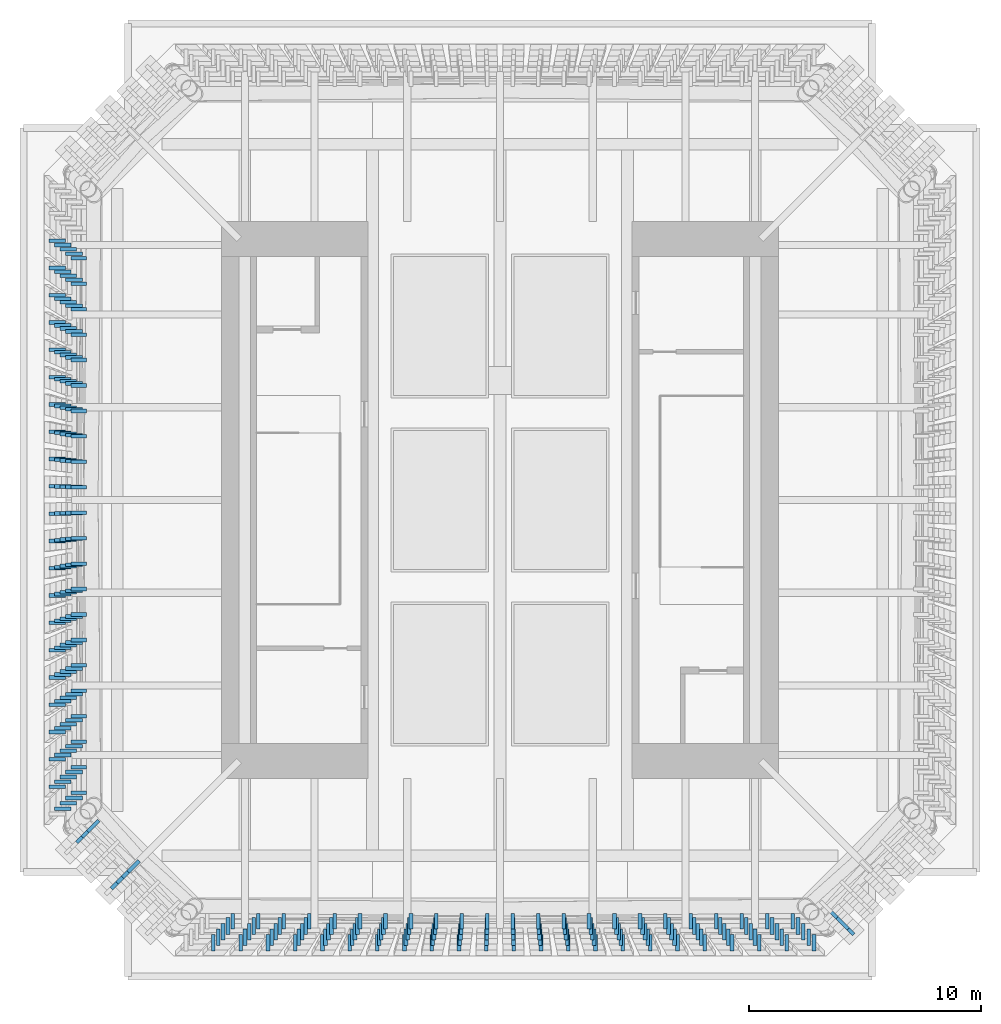
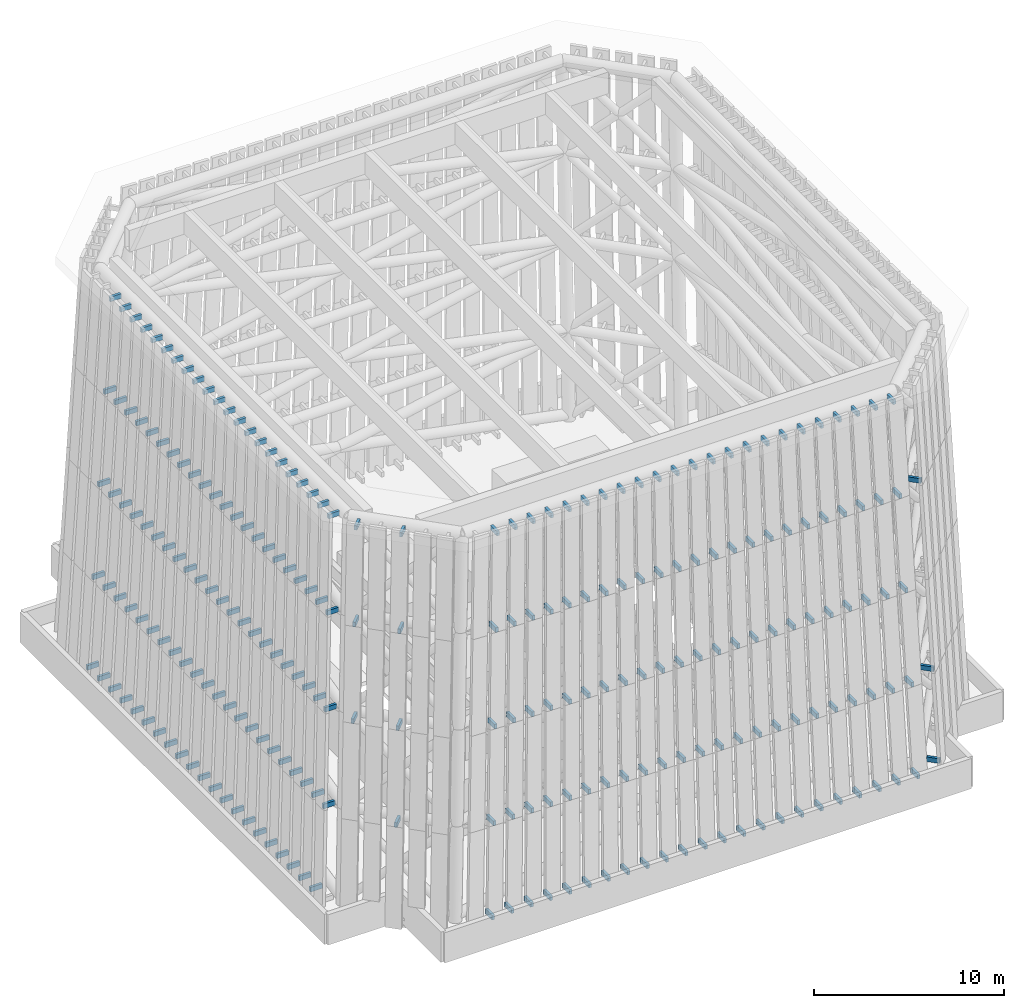
# One storey, part 4 of 13: 234 discrete accessories.
"""IFC4 building model written with IfcOpenShell, lengths in metres."""

from ifc_helpers import new_model, si_unit, direction, frame, origin, origin_2d, place, context, subcontext, project, spatial, rectangle, extrude, source, transform, mapped, material, type_object, element, save


model = new_model("IFC4")

# Units and contexts
model_context = context("Model", 3, precision=1e-05, world=origin(), true_north=direction((0.0, 1.0)))
body_context = subcontext(model_context, "Body", "Model", "MODEL_VIEW")
ifc_project = project(units=[si_unit("LENGTHUNIT", "METRE"), si_unit("AREAUNIT", "SQUARE_METRE"), si_unit("VOLUMEUNIT", "CUBIC_METRE"), si_unit("PLANEANGLEUNIT", "RADIAN"), si_unit("MASSUNIT", "GRAM", prefix="KILO")], contexts=[model_context])

# Site, building, storey
site_placement = place(None, origin())
site = spatial("IfcSite", under=ifc_project, at=site_placement, CompositionType="ELEMENT")
building_placement = place(site_placement, origin())
building = spatial("IfcBuilding", under=site, at=building_placement, Name="Peilmerk Tower", CompositionType="ELEMENT")
storey_placement = place(building_placement, frame((0.0, 0.0, 307.800048828125)))
storey = spatial("IfcBuildingStorey", under=building, at=storey_placement, Name="RF", CompositionType="ELEMENT", Elevation=307.800048828125)

# Discrete accessories
ifc_material = material(Name="Stainless steel 1.4401", Category="steel")
discrete_accessory_type = type_object("IfcDiscreteAccessoryType", Name="BR1 stainless steel fin bracket", PredefinedType="BRACKET", material=ifc_material)
shared_shape_1 = source(origin(), body_context, "Body", "SweptSolid", [
    extrude(rectangle(XDim=0.720458984375, YDim=0.159912109375, at=origin_2d()), origin(), (0.0, 0.0, 1.0), 0.300048828125),
])
for number, where, z_axis, x_axis, name in (
    (1, (14.99951171875, -18.4794921875, 0.0), (0.0, 0.0, 1.0), (0.707106781187, -0.707106781187, 0.0), "Crown fin bracket BR1 SE_E 5"),
    (2, (14.763671875, -18.24365234375, 5.85009765625), (0.0, 0.0, 1.0), (0.707106781187, -0.707106781187, 0.0), "Crown fin bracket BR1 SE_E 5"),
    (3, (14.27978515625, -17.759765625, 17.85009765625), (0.0, 0.0, 1.0), (0.707106781187, -0.707106781187, 0.0), "Crown fin bracket BR1 SE_E 5"),
    (4, (13.540771484375, -19.0947265625, 0.0), (0.0, 0.0, 1.0), (0.0, -1.0, 0.0), "Crown fin bracket BR1 SE_S 1"),
    (5, (13.314697265625, -18.85888671875, 5.85009765625), (0.0, 0.0, 1.0), (0.0, -1.0, 0.0), "Crown fin bracket BR1 SE_S 1"),
    (6, (13.082763671875, -18.616943359375, 11.85009765625), (0.0, 0.0, 1.0), (0.0, -1.0, 0.0), "Crown fin bracket BR1 SE_S 1"),
    (7, (12.850830078125, -18.375, 17.85009765625), (0.0, 0.0, 1.0), (0.0, -1.0, 0.0), "Crown fin bracket BR1 SE_S 1"),
    (8, (12.36328125, -19.0947265625, 0.0), (0.0, 0.0, 1.0), (0.0, -1.0, 0.0), "Crown fin bracket BR1 SE_S 2"),
    (9, (12.15673828125, -18.85888671875, 5.85009765625), (0.0, 0.0, 1.0), (0.0, -1.0, 0.0), "Crown fin bracket BR1 SE_S 2"),
    (10, (11.945068359375, -18.616943359375, 11.85009765625), (0.0, 0.0, 1.0), (0.0, -1.0, 0.0), "Crown fin bracket BR1 SE_S 2"),
    (11, (11.7333984375, -18.375, 17.85009765625), (0.0, 0.0, 1.0), (0.0, -1.0, 0.0), "Crown fin bracket BR1 SE_S 2"),
    (12, (11.185791015625, -19.0947265625, 0.0), (0.0, 0.0, 1.0), (0.0, -1.0, 0.0), "Crown fin bracket BR1 SE_S 3"),
    (13, (10.9990234375, -18.85888671875, 5.85009765625), (0.0, 0.0, 1.0), (0.0, -1.0, 0.0), "Crown fin bracket BR1 SE_S 3"),
    (14, (10.8076171875, -18.616943359375, 11.85009765625), (0.0, 0.0, 1.0), (0.0, -1.0, 0.0), "Crown fin bracket BR1 SE_S 3"),
    (15, (10.615966796875, -18.375, 17.85009765625), (0.0, 0.0, 1.0), (0.0, -1.0, 0.0), "Crown fin bracket BR1 SE_S 3"),
    (16, (10.00830078125, -19.0947265625, 0.0), (0.0, 0.0, 1.0), (0.0, -1.0, 0.0), "Crown fin bracket BR1 SE_S 4"),
    (17, (9.84130859375, -18.85888671875, 5.85009765625), (0.0, 0.0, 1.0), (0.0, -1.0, 0.0), "Crown fin bracket BR1 SE_S 4"),
    (18, (9.669921875, -18.616943359375, 11.85009765625), (0.0, 0.0, 1.0), (0.0, -1.0, 0.0), "Crown fin bracket BR1 SE_S 4"),
    (19, (9.49853515625, -18.375, 17.85009765625), (0.0, 0.0, 1.0), (0.0, -1.0, 0.0), "Crown fin bracket BR1 SE_S 4"),
    (20, (8.830810546875, -19.0947265625, 0.0), (0.0, 0.0, 1.0), (0.0, -1.0, 0.0), "Crown fin bracket BR1 SE_S 5"),
    (21, (8.683349609375, -18.85888671875, 5.85009765625), (0.0, 0.0, 1.0), (0.0, -1.0, 0.0), "Crown fin bracket BR1 SE_S 5"),
    (22, (8.5322265625, -18.616943359375, 11.85009765625), (0.0, 0.0, 1.0), (0.0, -1.0, 0.0), "Crown fin bracket BR1 SE_S 5"),
    (23, (8.381103515625, -18.375, 17.85009765625), (0.0, 0.0, 1.0), (0.0, -1.0, 0.0), "Crown fin bracket BR1 SE_S 5"),
    (24, (7.653564453125, -19.0947265625, 0.0), (0.0, 0.0, 1.0), (0.0, -1.0, 0.0), "Crown fin bracket BR1 SE_S 6"),
    (25, (7.525634765625, -18.85888671875, 5.85009765625), (0.0, 0.0, 1.0), (0.0, -1.0, 0.0), "Crown fin bracket BR1 SE_S 6"),
    (26, (7.39453125, -18.616943359375, 11.85009765625), (0.0, 0.0, 1.0), (0.0, -1.0, 0.0), "Crown fin bracket BR1 SE_S 6"),
    (27, (7.263671875, -18.375, 17.85009765625), (0.0, 0.0, 1.0), (0.0, -1.0, 0.0), "Crown fin bracket BR1 SE_S 6"),
    (28, (6.47607421875, -19.0947265625, 0.0), (0.0, 0.0, 1.0), (0.0, -1.0, 0.0), "Crown fin bracket BR1 SE_S 7"),
    (29, (6.367919921875, -18.85888671875, 5.85009765625), (0.0, 0.0, 1.0), (0.0, -1.0, 0.0), "Crown fin bracket BR1 SE_S 7"),
    (30, (6.257080078125, -18.616943359375, 11.85009765625), (0.0, 0.0, 1.0), (0.0, -1.0, 0.0), "Crown fin bracket BR1 SE_S 7"),
    (31, (6.14599609375, -18.375, 17.85009765625), (0.0, 0.0, 1.0), (0.0, -1.0, 0.0), "Crown fin bracket BR1 SE_S 7"),
    (32, (5.298583984375, -19.0947265625, 0.0), (0.0, 0.0, 1.0), (0.0, -1.0, 0.0), "Crown fin bracket BR1 SE_S 8"),
    (33, (5.2099609375, -18.85888671875, 5.85009765625), (0.0, 0.0, 1.0), (0.0, -1.0, 0.0), "Crown fin bracket BR1 SE_S 8"),
    (34, (5.119384765625, -18.616943359375, 11.85009765625), (0.0, 0.0, 1.0), (0.0, -1.0, 0.0), "Crown fin bracket BR1 SE_S 8"),
    (35, (5.028564453125, -18.375, 17.85009765625), (0.0, 0.0, 1.0), (0.0, -1.0, 0.0), "Crown fin bracket BR1 SE_S 8"),
    (36, (4.12109375, -19.0947265625, 0.0), (0.0, 0.0, 1.0), (0.0, -1.0, 0.0), "Crown fin bracket BR1 SE_S 9"),
    (37, (4.05224609375, -18.85888671875, 5.85009765625), (0.0, 0.0, 1.0), (0.0, -1.0, 0.0), "Crown fin bracket BR1 SE_S 9"),
    (38, (3.981689453125, -18.616943359375, 11.85009765625), (0.0, 0.0, 1.0), (0.0, -1.0, 0.0), "Crown fin bracket BR1 SE_S 9"),
    (39, (3.9111328125, -18.375, 17.85009765625), (0.0, 0.0, 1.0), (0.0, -1.0, 0.0), "Crown fin bracket BR1 SE_S 9"),
    (40, (2.943603515625, -19.0947265625, 0.0), (0.0, 0.0, 1.0), (0.0, -1.0, 0.0), "Crown fin bracket BR1 SE_S 10"),
    (41, (2.89453125, -18.85888671875, 5.85009765625), (0.0, 0.0, 1.0), (0.0, -1.0, 0.0), "Crown fin bracket BR1 SE_S 10"),
    (42, (2.843994140625, -18.616943359375, 11.85009765625), (0.0, 0.0, 1.0), (0.0, -1.0, 0.0), "Crown fin bracket BR1 SE_S 10"),
    (43, (2.793701171875, -18.375, 17.85009765625), (0.0, 0.0, 1.0), (0.0, -1.0, 0.0), "Crown fin bracket BR1 SE_S 10"),
    (44, (1.76611328125, -19.0947265625, 0.0), (0.0, 0.0, 1.0), (0.0, -1.0, 0.0), "Crown fin bracket BR1 SE_S 11"),
    (45, (1.736572265625, -18.85888671875, 5.85009765625), (0.0, 0.0, 1.0), (0.0, -1.0, 0.0), "Crown fin bracket BR1 SE_S 11"),
    (46, (1.70654296875, -18.616943359375, 11.85009765625), (0.0, 0.0, 1.0), (0.0, -1.0, 0.0), "Crown fin bracket BR1 SE_S 11"),
    (47, (1.67626953125, -18.375, 17.85009765625), (0.0, 0.0, 1.0), (0.0, -1.0, 0.0), "Crown fin bracket BR1 SE_S 11"),
    (48, (0.588623046875, -19.0947265625, 0.0), (0.0, 0.0, 1.0), (0.0, -1.0, 0.0), "Crown fin bracket BR1 SE_S 12"),
    (49, (0.578857421875, -18.85888671875, 5.85009765625), (0.0, 0.0, 1.0), (0.0, -1.0, 0.0), "Crown fin bracket BR1 SE_S 12"),
    (50, (0.56884765625, -18.616943359375, 11.85009765625), (0.0, 0.0, 1.0), (0.0, -1.0, 0.0), "Crown fin bracket BR1 SE_S 12"),
    (51, (0.558837890625, -18.375, 17.85009765625), (0.0, 0.0, 1.0), (0.0, -1.0, 0.0), "Crown fin bracket BR1 SE_S 12"),
    (52, (-0.588623046875, -19.0947265625, 0.0), (0.0, 0.0, 1.0), (0.0, -1.0, 0.0), "Crown fin bracket BR1 SE_S 13"),
    (53, (-0.578857421875, -18.85888671875, 5.85009765625), (0.0, 0.0, 1.0), (0.0, -1.0, 0.0), "Crown fin bracket BR1 SE_S 13"),
    (54, (-0.56884765625, -18.616943359375, 11.85009765625), (0.0, 0.0, 1.0), (0.0, -1.0, 0.0), "Crown fin bracket BR1 SE_S 13"),
    (55, (-0.558837890625, -18.375, 17.85009765625), (0.0, 0.0, 1.0), (0.0, -1.0, 0.0), "Crown fin bracket BR1 SE_S 13"),
    (56, (-1.76611328125, -19.0947265625, 0.0), (0.0, 0.0, 1.0), (0.0, -1.0, 0.0), "Crown fin bracket BR1 SE_S 14"),
    (57, (-1.736572265625, -18.85888671875, 5.85009765625), (0.0, 0.0, 1.0), (0.0, -1.0, 0.0), "Crown fin bracket BR1 SE_S 14"),
    (58, (-1.70654296875, -18.616943359375, 11.85009765625), (0.0, 0.0, 1.0), (0.0, -1.0, 0.0), "Crown fin bracket BR1 SE_S 14"),
    (59, (-1.67626953125, -18.375, 17.85009765625), (0.0, 0.0, 1.0), (0.0, -1.0, 0.0), "Crown fin bracket BR1 SE_S 14"),
    (60, (-2.943603515625, -19.0947265625, 0.0), (0.0, 0.0, 1.0), (0.0, -1.0, 0.0), "Crown fin bracket BR1 SE_S 15"),
    (61, (-2.89453125, -18.85888671875, 5.85009765625), (0.0, 0.0, 1.0), (0.0, -1.0, 0.0), "Crown fin bracket BR1 SE_S 15"),
    (62, (-2.843994140625, -18.616943359375, 11.85009765625), (0.0, 0.0, 1.0), (0.0, -1.0, 0.0), "Crown fin bracket BR1 SE_S 15"),
    (63, (-2.793701171875, -18.375, 17.85009765625), (0.0, 0.0, 1.0), (0.0, -1.0, 0.0), "Crown fin bracket BR1 SE_S 15"),
    (64, (-4.12109375, -19.0947265625, 0.0), (0.0, 0.0, 1.0), (0.0, -1.0, 0.0), "Crown fin bracket BR1 SE_S 16"),
    (65, (-4.05224609375, -18.85888671875, 5.85009765625), (0.0, 0.0, 1.0), (0.0, -1.0, 0.0), "Crown fin bracket BR1 SE_S 16"),
    (66, (-3.981689453125, -18.616943359375, 11.85009765625), (0.0, 0.0, 1.0), (0.0, -1.0, 0.0), "Crown fin bracket BR1 SE_S 16"),
    (67, (-3.9111328125, -18.375, 17.85009765625), (0.0, 0.0, 1.0), (0.0, -1.0, 0.0), "Crown fin bracket BR1 SE_S 16"),
    (68, (-5.298583984375, -19.0947265625, 0.0), (0.0, 0.0, 1.0), (0.0, -1.0, 0.0), "Crown fin bracket BR1 SE_S 17"),
    (69, (-5.2099609375, -18.85888671875, 5.85009765625), (0.0, 0.0, 1.0), (0.0, -1.0, 0.0), "Crown fin bracket BR1 SE_S 17"),
    (70, (-5.119384765625, -18.616943359375, 11.85009765625), (0.0, 0.0, 1.0), (0.0, -1.0, 0.0), "Crown fin bracket BR1 SE_S 17"),
    (71, (-5.028564453125, -18.375, 17.85009765625), (0.0, 0.0, 1.0), (0.0, -1.0, 0.0), "Crown fin bracket BR1 SE_S 17"),
    (72, (-6.47607421875, -19.0947265625, 0.0), (0.0, 0.0, 1.0), (0.0, -1.0, 0.0), "Crown fin bracket BR1 SE_S 18"),
    (73, (-6.367919921875, -18.85888671875, 5.85009765625), (0.0, 0.0, 1.0), (0.0, -1.0, 0.0), "Crown fin bracket BR1 SE_S 18"),
    (74, (-6.257080078125, -18.616943359375, 11.85009765625), (0.0, 0.0, 1.0), (0.0, -1.0, 0.0), "Crown fin bracket BR1 SE_S 18"),
    (75, (-6.14599609375, -18.375, 17.85009765625), (0.0, 0.0, 1.0), (0.0, -1.0, 0.0), "Crown fin bracket BR1 SE_S 18"),
    (76, (-7.653564453125, -19.0947265625, 0.0), (0.0, 0.0, 1.0), (0.0, -1.0, 0.0), "Crown fin bracket BR1 SE_S 19"),
    (77, (-7.525634765625, -18.85888671875, 5.85009765625), (0.0, 0.0, 1.0), (0.0, -1.0, 0.0), "Crown fin bracket BR1 SE_S 19"),
    (78, (-7.39453125, -18.616943359375, 11.85009765625), (0.0, 0.0, 1.0), (0.0, -1.0, 0.0), "Crown fin bracket BR1 SE_S 19"),
    (79, (-7.263671875, -18.375, 17.85009765625), (0.0, 0.0, 1.0), (0.0, -1.0, 0.0), "Crown fin bracket BR1 SE_S 19"),
    (80, (-8.830810546875, -19.0947265625, 0.0), (0.0, 0.0, 1.0), (0.0, -1.0, 0.0), "Crown fin bracket BR1 SE_S 20"),
    (81, (-8.683349609375, -18.85888671875, 5.85009765625), (0.0, 0.0, 1.0), (0.0, -1.0, 0.0), "Crown fin bracket BR1 SE_S 20"),
    (82, (-8.5322265625, -18.616943359375, 11.85009765625), (0.0, 0.0, 1.0), (0.0, -1.0, 0.0), "Crown fin bracket BR1 SE_S 20"),
    (83, (-8.381103515625, -18.375, 17.85009765625), (0.0, 0.0, 1.0), (0.0, -1.0, 0.0), "Crown fin bracket BR1 SE_S 20"),
    (84, (-10.00830078125, -19.0947265625, 0.0), (0.0, 0.0, 1.0), (0.0, -1.0, 0.0), "Crown fin bracket BR1 SE_S 21"),
    (85, (-9.84130859375, -18.85888671875, 5.85009765625), (0.0, 0.0, 1.0), (0.0, -1.0, 0.0), "Crown fin bracket BR1 SE_S 21"),
    (86, (-9.669921875, -18.616943359375, 11.85009765625), (0.0, 0.0, 1.0), (0.0, -1.0, 0.0), "Crown fin bracket BR1 SE_S 21"),
    (87, (-9.49853515625, -18.375, 17.85009765625), (0.0, 0.0, 1.0), (0.0, -1.0, 0.0), "Crown fin bracket BR1 SE_S 21"),
    (88, (-11.185791015625, -19.0947265625, 0.0), (0.0, 0.0, 1.0), (0.0, -1.0, 0.0), "Crown fin bracket BR1 SE_S 22"),
    (89, (-10.9990234375, -18.85888671875, 5.85009765625), (0.0, 0.0, 1.0), (0.0, -1.0, 0.0), "Crown fin bracket BR1 SE_S 22"),
    (90, (-10.8076171875, -18.616943359375, 11.85009765625), (0.0, 0.0, 1.0), (0.0, -1.0, 0.0), "Crown fin bracket BR1 SE_S 22"),
    (91, (-10.615966796875, -18.375, 17.85009765625), (0.0, 0.0, 1.0), (0.0, -1.0, 0.0), "Crown fin bracket BR1 SE_S 22"),
    (92, (-12.36328125, -19.0947265625, 0.0), (0.0, 0.0, 1.0), (0.0, -1.0, 0.0), "Crown fin bracket BR1 SE_S 23"),
    (93, (-12.15673828125, -18.85888671875, 5.85009765625), (0.0, 0.0, 1.0), (0.0, -1.0, 0.0), "Crown fin bracket BR1 SE_S 23"),
    (94, (-11.945068359375, -18.616943359375, 11.85009765625), (0.0, 0.0, 1.0), (0.0, -1.0, 0.0), "Crown fin bracket BR1 SE_S 23"),
    (95, (-11.7333984375, -18.375, 17.85009765625), (0.0, 0.0, 1.0), (0.0, -1.0, 0.0), "Crown fin bracket BR1 SE_S 23"),
    (96, (-16.503662109375, -16.503662109375, 5.85009765625), (0.0, 0.0, 1.0), (-0.707106781187, -0.707106781187, 0.0), "Crown fin bracket BR1 SW_S 3"),
    (97, (-16.26171875, -16.26171875, 11.85009765625), (0.0, 0.0, 1.0), (-0.707106781187, -0.707106781187, 0.0), "Crown fin bracket BR1 SW_S 3"),
    (98, (-16.019775390625, -16.019775390625, 17.85009765625), (0.0, 0.0, 1.0), (-0.707106781187, -0.707106781187, 0.0), "Crown fin bracket BR1 SW_S 3"),
    (99, (-18.001708984375, -14.521728515625, 11.85009765625), (0.0, 0.0, 1.0), (-0.707106781187, -0.707106781187, 0.0), "Crown fin bracket BR1 SW_S 5"),
    (100, (-17.759765625, -14.27978515625, 17.85009765625), (0.0, 0.0, 1.0), (-0.707106781187, -0.707106781187, 0.0), "Crown fin bracket BR1 SW_S 5"),
    (101, (-18.85888671875, -13.314697265625, 5.85009765625), (0.0, 0.0, 1.0), (-1.0, 0.0, 0.0), "Crown fin bracket BR1 SW_W 1"),
    (102, (-18.616943359375, -13.082763671875, 11.85009765625), (0.0, 0.0, 1.0), (-1.0, 0.0, 0.0), "Crown fin bracket BR1 SW_W 1"),
    (103, (-18.375, -12.850830078125, 17.85009765625), (0.0, 0.0, 1.0), (-1.0, 0.0, 0.0), "Crown fin bracket BR1 SW_W 1"),
    (104, (-19.0947265625, -12.36328125, 0.0), (0.0, 0.0, 1.0), (-1.0, 0.0, 0.0), "Crown fin bracket BR1 SW_W 2"),
    (105, (-18.85888671875, -12.15673828125, 5.85009765625), (0.0, 0.0, 1.0), (-1.0, 0.0, 0.0), "Crown fin bracket BR1 SW_W 2"),
    (106, (-18.616943359375, -11.945068359375, 11.85009765625), (0.0, 0.0, 1.0), (-1.0, 0.0, 0.0), "Crown fin bracket BR1 SW_W 2"),
    (107, (-18.375, -11.7333984375, 17.85009765625), (0.0, 0.0, 1.0), (-1.0, 0.0, 0.0), "Crown fin bracket BR1 SW_W 2"),
    (108, (-19.0947265625, -11.185791015625, 0.0), (0.0, 0.0, 1.0), (-1.0, 0.0, 0.0), "Crown fin bracket BR1 SW_W 3"),
    (109, (-18.85888671875, -10.9990234375, 5.85009765625), (0.0, 0.0, 1.0), (-1.0, 0.0, 0.0), "Crown fin bracket BR1 SW_W 3"),
    (110, (-18.616943359375, -10.8076171875, 11.85009765625), (0.0, 0.0, 1.0), (-1.0, 0.0, 0.0), "Crown fin bracket BR1 SW_W 3"),
    (111, (-18.375, -10.615966796875, 17.85009765625), (0.0, 0.0, 1.0), (-1.0, 0.0, 0.0), "Crown fin bracket BR1 SW_W 3"),
    (112, (-19.0947265625, -10.00830078125, 0.0), (0.0, 0.0, 1.0), (-1.0, 0.0, 0.0), "Crown fin bracket BR1 SW_W 4"),
    (113, (-18.85888671875, -9.84130859375, 5.85009765625), (0.0, 0.0, 1.0), (-1.0, 0.0, 0.0), "Crown fin bracket BR1 SW_W 4"),
    (114, (-18.616943359375, -9.669921875, 11.85009765625), (0.0, 0.0, 1.0), (-1.0, 0.0, 0.0), "Crown fin bracket BR1 SW_W 4"),
    (115, (-18.375, -9.49853515625, 17.85009765625), (0.0, 0.0, 1.0), (-1.0, 0.0, 0.0), "Crown fin bracket BR1 SW_W 4"),
    (116, (-19.0947265625, -8.830810546875, 0.0), (0.0, 0.0, 1.0), (-1.0, 0.0, 0.0), "Crown fin bracket BR1 SW_W 5"),
    (117, (-18.85888671875, -8.683349609375, 5.85009765625), (0.0, 0.0, 1.0), (-1.0, 0.0, 0.0), "Crown fin bracket BR1 SW_W 5"),
    (118, (-18.616943359375, -8.5322265625, 11.85009765625), (0.0, 0.0, 1.0), (-1.0, 0.0, 0.0), "Crown fin bracket BR1 SW_W 5"),
    (119, (-18.375, -8.381103515625, 17.85009765625), (0.0, 0.0, 1.0), (-1.0, 0.0, 0.0), "Crown fin bracket BR1 SW_W 5"),
    (120, (-19.0947265625, -7.653564453125, 0.0), (0.0, 0.0, 1.0), (-1.0, 0.0, 0.0), "Crown fin bracket BR1 SW_W 6"),
    (121, (-18.85888671875, -7.525634765625, 5.85009765625), (0.0, 0.0, 1.0), (-1.0, 0.0, 0.0), "Crown fin bracket BR1 SW_W 6"),
    (122, (-18.616943359375, -7.39453125, 11.85009765625), (0.0, 0.0, 1.0), (-1.0, 0.0, 0.0), "Crown fin bracket BR1 SW_W 6"),
    (123, (-18.375, -7.263671875, 17.85009765625), (0.0, 0.0, 1.0), (-1.0, 0.0, 0.0), "Crown fin bracket BR1 SW_W 6"),
    (124, (-19.0947265625, -6.47607421875, 0.0), (0.0, 0.0, 1.0), (-1.0, 0.0, 0.0), "Crown fin bracket BR1 SW_W 7"),
    (125, (-18.85888671875, -6.367919921875, 5.85009765625), (0.0, 0.0, 1.0), (-1.0, 0.0, 0.0), "Crown fin bracket BR1 SW_W 7"),
    (126, (-18.616943359375, -6.257080078125, 11.85009765625), (0.0, 0.0, 1.0), (-1.0, 0.0, 0.0), "Crown fin bracket BR1 SW_W 7"),
    (127, (-18.375, -6.14599609375, 17.85009765625), (0.0, 0.0, 1.0), (-1.0, 0.0, 0.0), "Crown fin bracket BR1 SW_W 7"),
    (128, (-19.0947265625, -5.298583984375, 0.0), (0.0, 0.0, 1.0), (-1.0, 0.0, 0.0), "Crown fin bracket BR1 SW_W 8"),
    (129, (-18.85888671875, -5.2099609375, 5.85009765625), (0.0, 0.0, 1.0), (-1.0, 0.0, 0.0), "Crown fin bracket BR1 SW_W 8"),
    (130, (-18.616943359375, -5.119384765625, 11.85009765625), (0.0, 0.0, 1.0), (-1.0, 0.0, 0.0), "Crown fin bracket BR1 SW_W 8"),
    (131, (-18.375, -5.028564453125, 17.85009765625), (0.0, 0.0, 1.0), (-1.0, 0.0, 0.0), "Crown fin bracket BR1 SW_W 8"),
    (132, (-19.0947265625, -4.12109375, 0.0), (0.0, 0.0, 1.0), (-1.0, 0.0, 0.0), "Crown fin bracket BR1 SW_W 9"),
    (133, (-18.85888671875, -4.05224609375, 5.85009765625), (0.0, 0.0, 1.0), (-1.0, 0.0, 0.0), "Crown fin bracket BR1 SW_W 9"),
    (134, (-18.616943359375, -3.981689453125, 11.85009765625), (0.0, 0.0, 1.0), (-1.0, 0.0, 0.0), "Crown fin bracket BR1 SW_W 9"),
    (135, (-18.375, -3.9111328125, 17.85009765625), (0.0, 0.0, 1.0), (-1.0, 0.0, 0.0), "Crown fin bracket BR1 SW_W 9"),
    (136, (-19.0947265625, -2.943603515625, 0.0), (0.0, 0.0, 1.0), (-1.0, 0.0, 0.0), "Crown fin bracket BR1 SW_W 10"),
    (137, (-18.85888671875, -2.89453125, 5.85009765625), (0.0, 0.0, 1.0), (-1.0, 0.0, 0.0), "Crown fin bracket BR1 SW_W 10"),
    (138, (-18.616943359375, -2.843994140625, 11.85009765625), (0.0, 0.0, 1.0), (-1.0, 0.0, 0.0), "Crown fin bracket BR1 SW_W 10"),
    (139, (-18.375, -2.793701171875, 17.85009765625), (0.0, 0.0, 1.0), (-1.0, 0.0, 0.0), "Crown fin bracket BR1 SW_W 10"),
    (140, (-19.0947265625, -1.76611328125, 0.0), (0.0, 0.0, 1.0), (-1.0, 0.0, 0.0), "Crown fin bracket BR1 SW_W 11"),
    (141, (-18.85888671875, -1.736572265625, 5.85009765625), (0.0, 0.0, 1.0), (-1.0, 0.0, 0.0), "Crown fin bracket BR1 SW_W 11"),
    (142, (-18.616943359375, -1.70654296875, 11.85009765625), (0.0, 0.0, 1.0), (-1.0, 0.0, 0.0), "Crown fin bracket BR1 SW_W 11"),
    (143, (-18.375, -1.67626953125, 17.85009765625), (0.0, 0.0, 1.0), (-1.0, 0.0, 0.0), "Crown fin bracket BR1 SW_W 11"),
    (144, (-19.0947265625, -0.588623046875, 0.0), (0.0, 0.0, 1.0), (-1.0, 0.0, 0.0), "Crown fin bracket BR1 SW_W 12"),
    (145, (-18.85888671875, -0.578857421875, 5.85009765625), (0.0, 0.0, 1.0), (-1.0, 0.0, 0.0), "Crown fin bracket BR1 SW_W 12"),
    (146, (-18.616943359375, -0.56884765625, 11.85009765625), (0.0, 0.0, 1.0), (-1.0, 0.0, 0.0), "Crown fin bracket BR1 SW_W 12"),
    (147, (-18.375, -0.558837890625, 17.85009765625), (0.0, 0.0, 1.0), (-1.0, 0.0, 0.0), "Crown fin bracket BR1 SW_W 12"),
    (148, (-19.0947265625, 0.588623046875, 0.0), (0.0, 0.0, 1.0), (-1.0, 0.0, 0.0), "Crown fin bracket BR1 SW_W 13"),
    (149, (-18.85888671875, 0.578857421875, 5.85009765625), (0.0, 0.0, 1.0), (-1.0, 0.0, 0.0), "Crown fin bracket BR1 SW_W 13"),
    (150, (-18.616943359375, 0.56884765625, 11.85009765625), (0.0, 0.0, 1.0), (-1.0, 0.0, 0.0), "Crown fin bracket BR1 SW_W 13"),
    (151, (-18.375, 0.558837890625, 17.85009765625), (0.0, 0.0, 1.0), (-1.0, 0.0, 0.0), "Crown fin bracket BR1 SW_W 13"),
    (152, (-19.0947265625, 1.76611328125, 0.0), (0.0, 0.0, 1.0), (-1.0, 0.0, 0.0), "Crown fin bracket BR1 SW_W 14"),
    (153, (-18.85888671875, 1.736572265625, 5.85009765625), (0.0, 0.0, 1.0), (-1.0, 0.0, 0.0), "Crown fin bracket BR1 SW_W 14"),
    (154, (-18.616943359375, 1.70654296875, 11.85009765625), (0.0, 0.0, 1.0), (-1.0, 0.0, 0.0), "Crown fin bracket BR1 SW_W 14"),
    (155, (-18.375, 1.67626953125, 17.85009765625), (0.0, 0.0, 1.0), (-1.0, 0.0, 0.0), "Crown fin bracket BR1 SW_W 14"),
    (156, (-19.0947265625, 2.943603515625, 0.0), (0.0, 0.0, 1.0), (-1.0, 0.0, 0.0), "Crown fin bracket BR1 SW_W 15"),
    (157, (-18.85888671875, 2.89453125, 5.85009765625), (0.0, 0.0, 1.0), (-1.0, 0.0, 0.0), "Crown fin bracket BR1 SW_W 15"),
    (158, (-18.616943359375, 2.843994140625, 11.85009765625), (0.0, 0.0, 1.0), (-1.0, 0.0, 0.0), "Crown fin bracket BR1 SW_W 15"),
    (159, (-18.375, 2.793701171875, 17.85009765625), (0.0, 0.0, 1.0), (-1.0, 0.0, 0.0), "Crown fin bracket BR1 SW_W 15"),
    (160, (-19.0947265625, 4.12109375, 0.0), (0.0, 0.0, 1.0), (-1.0, 0.0, 0.0), "Crown fin bracket BR1 SW_W 16"),
    (161, (-18.85888671875, 4.05224609375, 5.85009765625), (0.0, 0.0, 1.0), (-1.0, 0.0, 0.0), "Crown fin bracket BR1 SW_W 16"),
    (162, (-18.616943359375, 3.981689453125, 11.85009765625), (0.0, 0.0, 1.0), (-1.0, 0.0, 0.0), "Crown fin bracket BR1 SW_W 16"),
    (163, (-18.375, 3.9111328125, 17.85009765625), (0.0, 0.0, 1.0), (-1.0, 0.0, 0.0), "Crown fin bracket BR1 SW_W 16"),
    (164, (-19.0947265625, 5.298583984375, 0.0), (0.0, 0.0, 1.0), (-1.0, 0.0, 0.0), "Crown fin bracket BR1 SW_W 17"),
    (165, (-18.85888671875, 5.2099609375, 5.85009765625), (0.0, 0.0, 1.0), (-1.0, 0.0, 0.0), "Crown fin bracket BR1 SW_W 17"),
    (166, (-18.616943359375, 5.119384765625, 11.85009765625), (0.0, 0.0, 1.0), (-1.0, 0.0, 0.0), "Crown fin bracket BR1 SW_W 17"),
    (167, (-18.375, 5.028564453125, 17.85009765625), (0.0, 0.0, 1.0), (-1.0, 0.0, 0.0), "Crown fin bracket BR1 SW_W 17"),
    (168, (-19.0947265625, 6.47607421875, 0.0), (0.0, 0.0, 1.0), (-1.0, 0.0, 0.0), "Crown fin bracket BR1 SW_W 18"),
    (169, (-18.85888671875, 6.367919921875, 5.85009765625), (0.0, 0.0, 1.0), (-1.0, 0.0, 0.0), "Crown fin bracket BR1 SW_W 18"),
    (170, (-18.616943359375, 6.257080078125, 11.85009765625), (0.0, 0.0, 1.0), (-1.0, 0.0, 0.0), "Crown fin bracket BR1 SW_W 18"),
    (171, (-18.375, 6.14599609375, 17.85009765625), (0.0, 0.0, 1.0), (-1.0, 0.0, 0.0), "Crown fin bracket BR1 SW_W 18"),
    (172, (-19.0947265625, 7.653564453125, 0.0), (0.0, 0.0, 1.0), (-1.0, 0.0, 0.0), "Crown fin bracket BR1 SW_W 19"),
    (173, (-18.85888671875, 7.525634765625, 5.85009765625), (0.0, 0.0, 1.0), (-1.0, 0.0, 0.0), "Crown fin bracket BR1 SW_W 19"),
    (174, (-18.616943359375, 7.39453125, 11.85009765625), (0.0, 0.0, 1.0), (-1.0, 0.0, 0.0), "Crown fin bracket BR1 SW_W 19"),
    (175, (-18.375, 7.263671875, 17.85009765625), (0.0, 0.0, 1.0), (-1.0, 0.0, 0.0), "Crown fin bracket BR1 SW_W 19"),
    (176, (-19.0947265625, 8.830810546875, 0.0), (0.0, 0.0, 1.0), (-1.0, 0.0, 0.0), "Crown fin bracket BR1 SW_W 20"),
    (177, (-18.85888671875, 8.683349609375, 5.85009765625), (0.0, 0.0, 1.0), (-1.0, 0.0, 0.0), "Crown fin bracket BR1 SW_W 20"),
    (178, (-18.616943359375, 8.5322265625, 11.85009765625), (0.0, 0.0, 1.0), (-1.0, 0.0, 0.0), "Crown fin bracket BR1 SW_W 20"),
    (179, (-18.375, 8.381103515625, 17.85009765625), (0.0, 0.0, 1.0), (-1.0, 0.0, 0.0), "Crown fin bracket BR1 SW_W 20"),
    (180, (-19.0947265625, 10.00830078125, 0.0), (0.0, 0.0, 1.0), (-1.0, 0.0, 0.0), "Crown fin bracket BR1 SW_W 21"),
    (181, (-18.85888671875, 9.84130859375, 5.85009765625), (0.0, 0.0, 1.0), (-1.0, 0.0, 0.0), "Crown fin bracket BR1 SW_W 21"),
    (182, (-18.616943359375, 9.669921875, 11.85009765625), (0.0, 0.0, 1.0), (-1.0, 0.0, 0.0), "Crown fin bracket BR1 SW_W 21"),
    (183, (-18.375, 9.49853515625, 17.85009765625), (0.0, 0.0, 1.0), (-1.0, 0.0, 0.0), "Crown fin bracket BR1 SW_W 21"),
    (184, (-19.0947265625, 11.185791015625, 0.0), (0.0, 0.0, 1.0), (-1.0, 0.0, 0.0), "Crown fin bracket BR1 SW_W 22"),
    (185, (-18.85888671875, 10.9990234375, 5.85009765625), (0.0, 0.0, 1.0), (-1.0, 0.0, 0.0), "Crown fin bracket BR1 SW_W 22"),
    (186, (-18.616943359375, 10.8076171875, 11.85009765625), (0.0, 0.0, 1.0), (-1.0, 0.0, 0.0), "Crown fin bracket BR1 SW_W 22"),
    (187, (-18.375, 10.615966796875, 17.85009765625), (0.0, 0.0, 1.0), (-1.0, 0.0, 0.0), "Crown fin bracket BR1 SW_W 22"),
):
    element("IfcDiscreteAccessory", number, at=place(storey_placement, frame(where, z_axis=z_axis, x_axis=x_axis)), inside=storey, type_object=discrete_accessory_type, Name=name, PredefinedType="BRACKET", context=body_context, shape_type="MappedRepresentation", body=[
        mapped(shared_shape_1, transform((0.0, 0.0, 0.0), scale=1.0)),
    ])
shared_shape_2 = source(origin(), body_context, "Body", "SweptSolid", [
    extrude(rectangle(XDim=0.669921875, YDim=0.159912109375, at=origin_2d()), origin(), (0.0, 0.0, 1.0), 0.300048828125),
])
for number, where, z_axis, x_axis, name in (
    (188, (12.619140625, -18.158203125, 23.85009765625), (0.0, 0.0, 1.0), (0.0, -1.0, 0.0), "Crown fin bracket BR1 SE_S 1"),
    (189, (11.521728515625, -18.158203125, 23.85009765625), (0.0, 0.0, 1.0), (0.0, -1.0, 0.0), "Crown fin bracket BR1 SE_S 2"),
    (190, (10.424560546875, -18.158203125, 23.85009765625), (0.0, 0.0, 1.0), (0.0, -1.0, 0.0), "Crown fin bracket BR1 SE_S 3"),
    (191, (9.3271484375, -18.158203125, 23.85009765625), (0.0, 0.0, 1.0), (0.0, -1.0, 0.0), "Crown fin bracket BR1 SE_S 4"),
    (192, (8.229736328125, -18.158203125, 23.85009765625), (0.0, 0.0, 1.0), (0.0, -1.0, 0.0), "Crown fin bracket BR1 SE_S 5"),
    (193, (7.132568359375, -18.158203125, 23.85009765625), (0.0, 0.0, 1.0), (0.0, -1.0, 0.0), "Crown fin bracket BR1 SE_S 6"),
    (194, (6.03515625, -18.158203125, 23.85009765625), (0.0, 0.0, 1.0), (0.0, -1.0, 0.0), "Crown fin bracket BR1 SE_S 7"),
    (195, (4.93798828125, -18.158203125, 23.85009765625), (0.0, 0.0, 1.0), (0.0, -1.0, 0.0), "Crown fin bracket BR1 SE_S 8"),
    (196, (3.840576171875, -18.158203125, 23.85009765625), (0.0, 0.0, 1.0), (0.0, -1.0, 0.0), "Crown fin bracket BR1 SE_S 9"),
    (197, (2.7431640625, -18.158203125, 23.85009765625), (0.0, 0.0, 1.0), (0.0, -1.0, 0.0), "Crown fin bracket BR1 SE_S 10"),
    (198, (1.64599609375, -18.158203125, 23.85009765625), (0.0, 0.0, 1.0), (0.0, -1.0, 0.0), "Crown fin bracket BR1 SE_S 11"),
    (199, (0.548583984375, -18.158203125, 23.85009765625), (0.0, 0.0, 1.0), (0.0, -1.0, 0.0), "Crown fin bracket BR1 SE_S 12"),
    (200, (-0.548583984375, -18.158203125, 23.85009765625), (0.0, 0.0, 1.0), (0.0, -1.0, 0.0), "Crown fin bracket BR1 SE_S 13"),
    (201, (-1.64599609375, -18.158203125, 23.85009765625), (0.0, 0.0, 1.0), (0.0, -1.0, 0.0), "Crown fin bracket BR1 SE_S 14"),
    (202, (-2.7431640625, -18.158203125, 23.85009765625), (0.0, 0.0, 1.0), (0.0, -1.0, 0.0), "Crown fin bracket BR1 SE_S 15"),
    (203, (-3.840576171875, -18.158203125, 23.85009765625), (0.0, 0.0, 1.0), (0.0, -1.0, 0.0), "Crown fin bracket BR1 SE_S 16"),
    (204, (-4.93798828125, -18.158203125, 23.85009765625), (0.0, 0.0, 1.0), (0.0, -1.0, 0.0), "Crown fin bracket BR1 SE_S 17"),
    (205, (-6.03515625, -18.158203125, 23.85009765625), (0.0, 0.0, 1.0), (0.0, -1.0, 0.0), "Crown fin bracket BR1 SE_S 18"),
    (206, (-7.132568359375, -18.158203125, 23.85009765625), (0.0, 0.0, 1.0), (0.0, -1.0, 0.0), "Crown fin bracket BR1 SE_S 19"),
    (207, (-8.229736328125, -18.158203125, 23.85009765625), (0.0, 0.0, 1.0), (0.0, -1.0, 0.0), "Crown fin bracket BR1 SE_S 20"),
    (208, (-9.3271484375, -18.158203125, 23.85009765625), (0.0, 0.0, 1.0), (0.0, -1.0, 0.0), "Crown fin bracket BR1 SE_S 21"),
    (209, (-10.424560546875, -18.158203125, 23.85009765625), (0.0, 0.0, 1.0), (0.0, -1.0, 0.0), "Crown fin bracket BR1 SE_S 22"),
    (210, (-11.521728515625, -18.158203125, 23.85009765625), (0.0, 0.0, 1.0), (0.0, -1.0, 0.0), "Crown fin bracket BR1 SE_S 23"),
    (211, (-15.795654296875, -15.795654296875, 23.85009765625), (0.0, 0.0, 1.0), (-0.707106781187, -0.707106781187, 0.0), "Crown fin bracket BR1 SW_S 3"),
    (212, (-17.53564453125, -14.0556640625, 23.85009765625), (0.0, 0.0, 1.0), (-0.707106781187, -0.707106781187, 0.0), "Crown fin bracket BR1 SW_S 5"),
    (213, (-18.158203125, -12.619140625, 23.85009765625), (0.0, 0.0, 1.0), (-1.0, 0.0, 0.0), "Crown fin bracket BR1 SW_W 1"),
    (214, (-18.158203125, -11.521728515625, 23.85009765625), (0.0, 0.0, 1.0), (-1.0, 0.0, 0.0), "Crown fin bracket BR1 SW_W 2"),
    (215, (-18.158203125, -10.424560546875, 23.85009765625), (0.0, 0.0, 1.0), (-1.0, 0.0, 0.0), "Crown fin bracket BR1 SW_W 3"),
    (216, (-18.158203125, -9.3271484375, 23.85009765625), (0.0, 0.0, 1.0), (-1.0, 0.0, 0.0), "Crown fin bracket BR1 SW_W 4"),
    (217, (-18.158203125, -8.229736328125, 23.85009765625), (0.0, 0.0, 1.0), (-1.0, 0.0, 0.0), "Crown fin bracket BR1 SW_W 5"),
    (218, (-18.158203125, -7.132568359375, 23.85009765625), (0.0, 0.0, 1.0), (-1.0, 0.0, 0.0), "Crown fin bracket BR1 SW_W 6"),
    (219, (-18.158203125, -6.03515625, 23.85009765625), (0.0, 0.0, 1.0), (-1.0, 0.0, 0.0), "Crown fin bracket BR1 SW_W 7"),
    (220, (-18.158203125, -4.93798828125, 23.85009765625), (0.0, 0.0, 1.0), (-1.0, 0.0, 0.0), "Crown fin bracket BR1 SW_W 8"),
    (221, (-18.158203125, -3.840576171875, 23.85009765625), (0.0, 0.0, 1.0), (-1.0, 0.0, 0.0), "Crown fin bracket BR1 SW_W 9"),
    (222, (-18.158203125, -2.7431640625, 23.85009765625), (0.0, 0.0, 1.0), (-1.0, 0.0, 0.0), "Crown fin bracket BR1 SW_W 10"),
    (223, (-18.158203125, -1.64599609375, 23.85009765625), (0.0, 0.0, 1.0), (-1.0, 0.0, 0.0), "Crown fin bracket BR1 SW_W 11"),
    (224, (-18.158203125, -0.548583984375, 23.85009765625), (0.0, 0.0, 1.0), (-1.0, 0.0, 0.0), "Crown fin bracket BR1 SW_W 12"),
    (225, (-18.158203125, 0.548583984375, 23.85009765625), (0.0, 0.0, 1.0), (-1.0, 0.0, 0.0), "Crown fin bracket BR1 SW_W 13"),
    (226, (-18.158203125, 1.64599609375, 23.85009765625), (0.0, 0.0, 1.0), (-1.0, 0.0, 0.0), "Crown fin bracket BR1 SW_W 14"),
    (227, (-18.158203125, 2.7431640625, 23.85009765625), (0.0, 0.0, 1.0), (-1.0, 0.0, 0.0), "Crown fin bracket BR1 SW_W 15"),
    (228, (-18.158203125, 3.840576171875, 23.85009765625), (0.0, 0.0, 1.0), (-1.0, 0.0, 0.0), "Crown fin bracket BR1 SW_W 16"),
    (229, (-18.158203125, 4.93798828125, 23.85009765625), (0.0, 0.0, 1.0), (-1.0, 0.0, 0.0), "Crown fin bracket BR1 SW_W 17"),
    (230, (-18.158203125, 6.03515625, 23.85009765625), (0.0, 0.0, 1.0), (-1.0, 0.0, 0.0), "Crown fin bracket BR1 SW_W 18"),
    (231, (-18.158203125, 7.132568359375, 23.85009765625), (0.0, 0.0, 1.0), (-1.0, 0.0, 0.0), "Crown fin bracket BR1 SW_W 19"),
    (232, (-18.158203125, 8.229736328125, 23.85009765625), (0.0, 0.0, 1.0), (-1.0, 0.0, 0.0), "Crown fin bracket BR1 SW_W 20"),
    (233, (-18.158203125, 9.3271484375, 23.85009765625), (0.0, 0.0, 1.0), (-1.0, 0.0, 0.0), "Crown fin bracket BR1 SW_W 21"),
    (234, (-18.158203125, 10.424560546875, 23.85009765625), (0.0, 0.0, 1.0), (-1.0, 0.0, 0.0), "Crown fin bracket BR1 SW_W 22"),
):
    element("IfcDiscreteAccessory", number, at=place(storey_placement, frame(where, z_axis=z_axis, x_axis=x_axis)), inside=storey, type_object=discrete_accessory_type, Name=name, PredefinedType="BRACKET", context=body_context, shape_type="MappedRepresentation", body=[
        mapped(shared_shape_2, transform((0.0, 0.0, 0.0), scale=1.0)),
    ])

save(model, "model.ifc")
